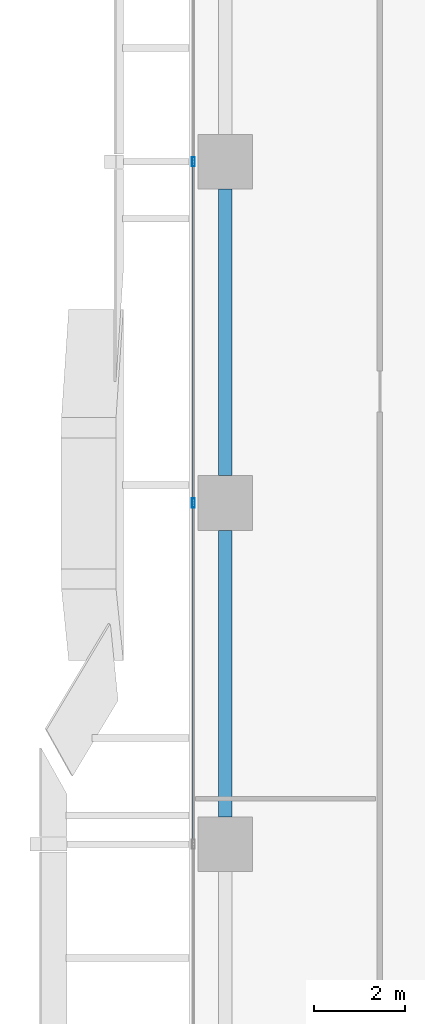
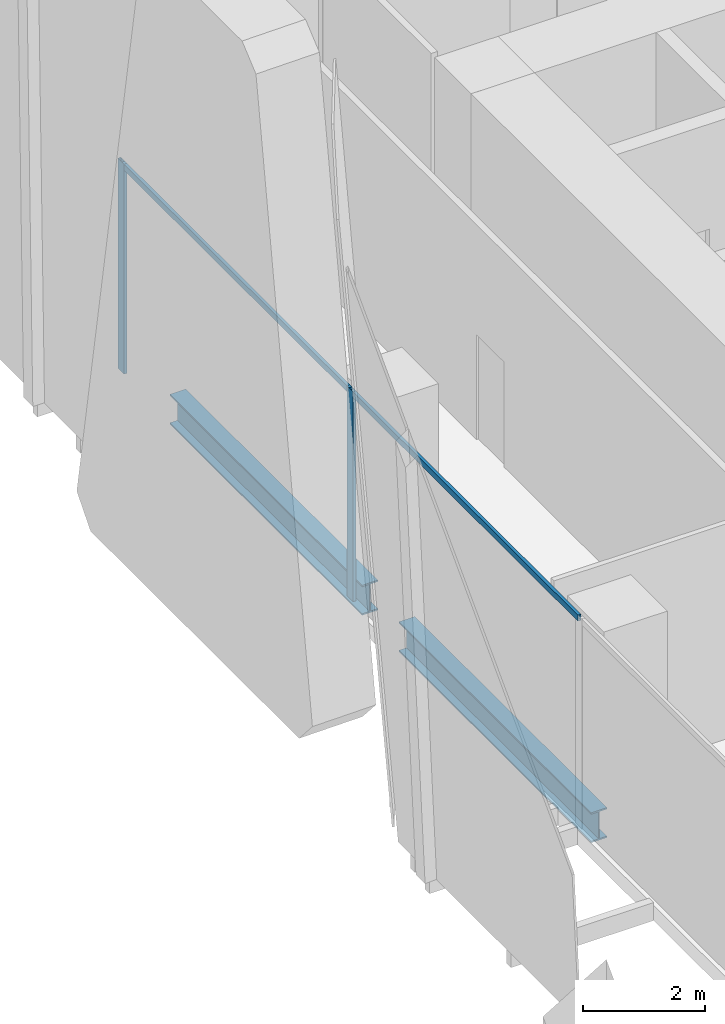
# One storey, part 11 of 34: 4 members, 2 beams, 1 element without a shape of its own.
"""IFC4 building model written with IfcOpenShell, lengths in metres."""

from ifc_helpers import new_model, si_unit, direction, frame, origin, origin_2d, place, context, subcontext, project, spatial, hollow_rectangle, i_section, extrude, source, transform, mapped, material, material_profile, profile_set, type_object, element, aggregate, save


model = new_model("IFC4")

# Units and contexts
model_context = context("Model", 3, precision=1e-05, world=origin(), true_north=direction((0.0, 1.0)))
body_context = subcontext(model_context, "Body", "Model", "MODEL_VIEW")
ifc_project = project(units=[si_unit("LENGTHUNIT", "METRE"), si_unit("AREAUNIT", "SQUARE_METRE"), si_unit("VOLUMEUNIT", "CUBIC_METRE"), si_unit("PLANEANGLEUNIT", "RADIAN"), si_unit("MASSUNIT", "GRAM", prefix="KILO")], contexts=[model_context])

# Site, building, storey
site_placement = place(None, origin())
site = spatial("IfcSite", under=ifc_project, at=site_placement, CompositionType="ELEMENT")
building_placement = place(site_placement, origin())
building = spatial("IfcBuilding", under=site, at=building_placement, Name="Khomas Fold Tower", CompositionType="ELEMENT")
storey_placement = place(building_placement, frame((0.0, 0.0, 73.5)))
storey = spatial("IfcBuildingStorey", under=building, at=storey_placement, Name="L15", CompositionType="ELEMENT", Elevation=73.5)

# Beams
ifc_material_1 = material(Name="Steel S355", Category="steel")
ifc_material_profile_1 = material_profile(ifc_material_1, i_section(OverallWidth=0.300048828125, OverallDepth=0.60009765625, WebThickness=0.015380859375, FlangeThickness=0.030029296875, at=origin_2d()), Name="HE 600 B")
ifc_profile_set_1 = profile_set([ifc_material_profile_1], Name="Steel S355")
beam_type = type_object("IfcBeamType", Name="HE 600 B spandrel SB1", PredefinedType="SPANDREL", material=ifc_profile_set_1)
shared_shape_1 = source(origin(), body_context, "Body", "SweptSolid", [
    extrude(i_section(OverallWidth=0.300048828125, OverallDepth=0.60009765625, WebThickness=0.015380859375, FlangeThickness=0.030029296875, at=origin_2d()), origin(), (0.0, 0.0, 1.0), 6.2998046875),
])
for number, where, z_axis, x_axis, name in (
    (1, (0.800048828125, 35.10009765625, -0.60009765625), (0.0, 1.0, 0.0), (-1.0, 0.0, 0.0), "SB1"),
    (2, (0.800048828125, 27.60009765625, -0.60009765625), (0.0, 1.0, 0.0), (-1.0, 0.0, 0.0), "SB1"),
):
    element("IfcBeam", number, at=place(storey_placement, frame(where, z_axis=z_axis, x_axis=x_axis)), inside=storey, type_object=beam_type, Name=name, PredefinedType="SPANDREL", context=body_context, shape_type="MappedRepresentation", body=[
        mapped(shared_shape_1, transform((0.0, 0.0, 0.0))),
    ])

# Curtain wall, members
ifc_material_2 = material(Name="Aluminium framed double glazing", Category="aluminium")
curtain_wall_type = type_object("IfcCurtainWallType", Name="SK-Unitised clear-glass wall, growing floors CW1", PredefinedType="NOTDEFINED", material=ifc_material_2)
curtain_wall_placement = place(storey_placement, origin())
curtain_wall = element("IfcCurtainWall", 3, at=curtain_wall_placement, inside=storey, type_object=curtain_wall_type, Name="CW1 run L15 09-0", PredefinedType="NOTDEFINED")
ifc_material_3 = material(Name="Aluminium", Category="aluminium")
ifc_material_profile_2 = material_profile(ifc_material_3, hollow_rectangle(XDim=0.06005859375, YDim=0.1201171875, WallThickness=0.00390625, at=origin_2d()), Name="SK-Unitised clear-glass wall, growing floors transom CW1-T")
ifc_profile_set_2 = profile_set([ifc_material_profile_2], Name="Aluminium")
member_type_1 = type_object("IfcMemberType", Name="SK-Unitised clear-glass wall, growing floors transom CW1-T", PredefinedType="USERDEFINED", material=ifc_profile_set_2)
shared_shape_2 = source(origin(), body_context, "Body", "SweptSolid", [
    extrude(hollow_rectangle(XDim=0.06005859375, YDim=0.1201171875, WallThickness=0.00390625, at=origin_2d()), origin(), (0.0, 0.0, 1.0), 7.43994140625),
])
member_1_placement = place(storey_placement, frame((0.10009765625, 41.969970703125, 4.139892578125), z_axis=(0.0, -1.0, 0.0), x_axis=(1.0, 0.0, 0.0)))
member_1 = element("IfcMember", 4, at=member_1_placement, type_object=member_type_1, Name="CW1 transom 3", ObjectType="TRANSOM", PredefinedType="USERDEFINED", context=body_context, shape_type="MappedRepresentation", body=[
    mapped(shared_shape_2, transform((0.0, 0.0, 0.0))),
])
member_2_placement = place(storey_placement, frame((0.10009765625, 34.469970703125, 4.139892578125), z_axis=(0.0, -1.0, 0.0), x_axis=(1.0, 0.0, 0.0)))
member_2 = element("IfcMember", 5, at=member_2_placement, type_object=member_type_1, Name="CW1 transom 4", ObjectType="TRANSOM", PredefinedType="USERDEFINED", context=body_context, shape_type="MappedRepresentation", body=[
    mapped(shared_shape_2, transform((0.0, 0.0, 0.0))),
])
ifc_material_4 = material(Name="Aluminium", Category="aluminium")
ifc_material_profile_3 = material_profile(ifc_material_4, hollow_rectangle(XDim=0.06005859375, YDim=0.199951171875, WallThickness=0.00390625, at=origin_2d()), Name="SK-Unitised clear-glass wall, growing floors mullion CW1-M")
ifc_profile_set_3 = profile_set([ifc_material_profile_3], Name="Aluminium")
member_type_2 = type_object("IfcMemberType", Name="SK-Unitised clear-glass wall, growing floors mullion CW1-M", PredefinedType="MULLION", material=ifc_profile_set_3)
shared_shape_3 = source(origin(), body_context, "Body", "SweptSolid", [
    extrude(hollow_rectangle(XDim=0.06005859375, YDim=0.199951171875, WallThickness=0.00390625, at=origin_2d()), origin(), (0.0, 0.0, 1.0), 4.199951171875),
])
member_3_placement = place(storey_placement, frame((0.10009765625, 42.0, 0.0), z_axis=(0.0, 0.0, 1.0), x_axis=(1.0, 0.0, 0.0)))
member_3 = element("IfcMember", 6, at=member_3_placement, type_object=member_type_2, Name="CW1 mullion 3", PredefinedType="MULLION", context=body_context, shape_type="MappedRepresentation", body=[
    mapped(shared_shape_3, transform((0.0, 0.0, 0.0))),
])
member_4_placement = place(storey_placement, frame((0.10009765625, 34.5, 0.0), z_axis=(0.0, 0.0, 1.0), x_axis=(1.0, 0.0, 0.0)))
member_4 = element("IfcMember", 7, at=member_4_placement, type_object=member_type_2, Name="CW1 mullion 4", PredefinedType="MULLION", context=body_context, shape_type="MappedRepresentation", body=[
    mapped(shared_shape_3, transform((0.0, 0.0, 0.0))),
])
aggregate(curtain_wall, [member_3, member_4, member_1, member_2])

save(model, "model.ifc")
